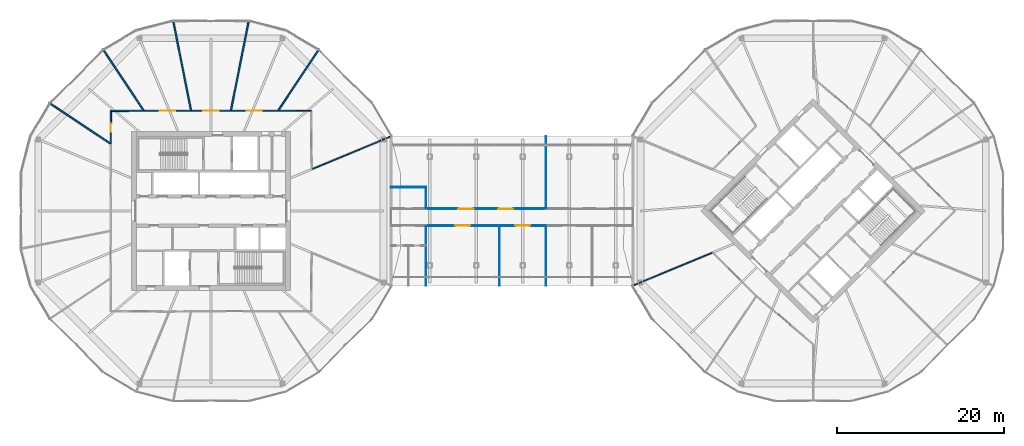
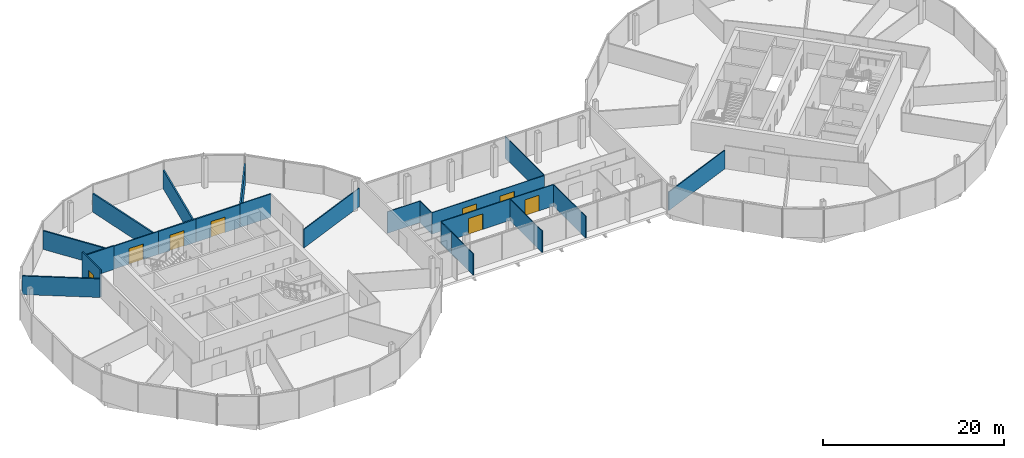
# One storey, part 21 of 25: 23 walls, 8 doors, 8 openings.
"""IFC4 building model written with IfcOpenShell, lengths in metres."""

from ifc_helpers import new_model, si_unit, direction, frame, frame_2d, origin, place, context, subcontext, project, spatial, rectangle, extrude, material, layer, layer_set, type_object, element, fill, save


model = new_model("IFC4")

# Units and contexts
model_context = context("Model", 3, precision=1e-05, world=origin(), true_north=direction((0.0, 1.0)))
body_context = subcontext(model_context, "Body", "Model", "MODEL_VIEW")
ifc_project = project(units=[si_unit("LENGTHUNIT", "METRE"), si_unit("AREAUNIT", "SQUARE_METRE"), si_unit("VOLUMEUNIT", "CUBIC_METRE"), si_unit("PLANEANGLEUNIT", "RADIAN"), si_unit("MASSUNIT", "GRAM", prefix="KILO")], contexts=[model_context])

# Site, building, storey
site_placement = place(None, origin())
site = spatial("IfcSite", under=ifc_project, at=site_placement, CompositionType="ELEMENT")
building_placement = place(site_placement, origin())
building = spatial("IfcBuilding", under=site, at=building_placement, Name="Ogive Gate Towers", CompositionType="ELEMENT")
storey_placement = place(building_placement, frame((0.0, 0.0, 144.800048828125)))
storey = spatial("IfcBuildingStorey", under=building, at=storey_placement, Name="L34", CompositionType="ELEMENT", Elevation=144.800048828125)

# Walls
ifc_material_1 = material(Name="Gypsum board acoustic partition")
ifc_layer_1 = layer(ifc_material_1, 0.175048828125)
ifc_layer_set_1 = layer_set([ifc_layer_1], Name="Acoustic partition 175")
wall_type_1 = type_object("IfcWallType", Name="Acoustic partition 175", PredefinedType="PARTITIONING", material=ifc_layer_set_1)
wall_1_placement = place(storey_placement, frame((-23.16015625, 19.2021484375, 0.0), z_axis=(0.0, 0.0, 1.0), x_axis=(-0.555860372111, -0.83127567432, 0.0)))
element("IfcWall", 1, at=wall_1_placement, inside=storey, type_object=wall_type_1, Name="Partition T1-L34-002", PredefinedType="PARTITIONING", context=body_context, shape_type="SweptSolid", body=[
    extrude(rectangle(XDim=8.59130859375, YDim=0.175048828125, at=frame_2d((4.295654296875, 0.0))), origin(), (0.0, 0.0, 1.0), 2.5),
])
for number, where, z_axis, x_axis, name in (
    (2, (-31.501220703125, 22.6572265625, 0.0), (0.0, 0.0, 1.0), (-0.194745464851, -0.980853813736, 0.0), "Partition T1-L34-003"),
    (3, (-40.498779296875, 22.6572265625, 0.0), (0.0, 0.0, 1.0), (0.194745464851, -0.980853813736, 0.0), "Partition T1-L34-004"),
):
    element("IfcWall", number, at=place(storey_placement, frame(where, z_axis=z_axis, x_axis=x_axis)), inside=storey, type_object=wall_type_1, Name=name, PredefinedType="PARTITIONING", context=body_context, shape_type="SweptSolid", body=[
        extrude(rectangle(XDim=10.791259765625, YDim=0.175048828125, at=frame_2d((5.3955078125, 0.0))), origin(), (0.0, 0.0, 1.0), 2.5),
    ])
for number, where, z_axis, x_axis, name in (
    (4, (-48.83984375, 19.2021484375, 0.0), (0.0, 0.0, 1.0), (0.555860372111, -0.83127567432, 0.0), "Partition T1-L34-005"),
    (5, (-55.2021484375, 12.83984375, 0.0), (0.0, 0.0, 1.0), (0.83127567432, -0.555860372111, 0.0), "Partition T1-L34-006"),
):
    element("IfcWall", number, at=place(storey_placement, frame(where, z_axis=z_axis, x_axis=x_axis)), inside=storey, type_object=wall_type_1, Name=name, PredefinedType="PARTITIONING", context=body_context, shape_type="SweptSolid", body=[
        extrude(rectangle(XDim=8.59130859375, YDim=0.175048828125, at=frame_2d((4.295654296875, 0.0))), origin(), (0.0, 0.0, 1.0), 2.5),
    ])

# Wall, opening, door
wall_2_placement = place(storey_placement, frame((-27.984375, 11.987548828125, 0.0), z_axis=(0.0, 0.0, 1.0), x_axis=(-0.999999984986, -0.000173287698, 0.0)))
wall_2 = element("IfcWall", 6, at=wall_2_placement, inside=storey, type_object=wall_type_1, Name="Partition T1-L34-015", PredefinedType="PARTITIONING", context=body_context, shape_type="SweptSolid", body=[
    extrude(rectangle(XDim=5.635498046875, YDim=0.175048828125, at=frame_2d((2.81787109375, 0.0))), origin(), (0.0, 0.0, 1.0), 3.099853515625),
])
opening_1_placement = place(wall_2_placement, frame((1.91796875, 0.0, 0.0)))
opening_1 = element("IfcOpeningElement", 7, at=opening_1_placement, cuts=wall_2, Name="Opening T1-L34-D02", PredefinedType="OPENING", context=body_context, shape_type="SweptSolid", body=[
    extrude(rectangle(XDim=1.800048828125, YDim=2.10009765625, at=frame_2d((0.89990234375, 1.050048828125))), frame((0.0, 0.09765625, 0.0), z_axis=(0.0, -1.0, 0.0), x_axis=(1.0, 0.0, 0.0)), (0.0, 0.0, 1.0), 0.195068359375),
])
ifc_material_2 = material(Name="Timber door", Category="wood")
door_type_1 = type_object("IfcDoorType", Name="Door pair 1800", OperationType="NOTDEFINED", PredefinedType="DOOR", material=ifc_material_2)
door_1_placement = place(opening_1_placement, origin())
door_1 = element("IfcDoor", 8, at=door_1_placement, inside=storey, type_object=door_type_1, Name="Door T1-L34-D02", OperationType="DOUBLE_DOOR_DOUBLE_SWING", OverallHeight=2.10009765625, OverallWidth=1.800048828125, PredefinedType="DOOR", context=body_context, shape_type="SweptSolid", body=[
    extrude(rectangle(XDim=1.800048828125, YDim=2.10009765625, at=frame_2d((0.89990234375, 1.050048828125))), frame((0.0, 0.02490234375, 0.0), z_axis=(0.0, -1.0, 0.0), x_axis=(1.0, 0.0, 0.0)), (0.0, 0.0, 1.0), 0.050048828125),
])
fill(opening_1, door_1)

wall_3_placement = place(storey_placement, frame((-33.619873046875, 11.986572265625, 0.0), z_axis=(0.0, 0.0, 1.0), x_axis=(-1.0, 0.0, 0.0)))
wall_3 = element("IfcWall", 9, at=wall_3_placement, inside=storey, type_object=wall_type_1, Name="Partition T1-L34-016", PredefinedType="PARTITIONING", context=body_context, shape_type="SweptSolid", body=[
    extrude(rectangle(XDim=4.76025390625, YDim=0.175048828125, at=frame_2d((2.380126953125, 0.0))), origin(), (0.0, 0.0, 1.0), 3.099853515625),
])
opening_2_placement = place(wall_3_placement, frame((1.47998046875, 0.0, 0.0)))
opening_2 = element("IfcOpeningElement", 10, at=opening_2_placement, cuts=wall_3, Name="Opening T1-L34-D03", PredefinedType="OPENING", context=body_context, shape_type="SweptSolid", body=[
    extrude(rectangle(XDim=1.800048828125, YDim=2.10009765625, at=frame_2d((0.89990234375, 1.050048828125))), frame((0.0, 0.09765625, 0.0), z_axis=(0.0, -1.0, 0.0), x_axis=(1.0, 0.0, 0.0)), (0.0, 0.0, 1.0), 0.195068359375),
])
door_2_placement = place(opening_2_placement, origin())
door_2 = element("IfcDoor", 11, at=door_2_placement, inside=storey, type_object=door_type_1, Name="Door T1-L34-D03", OperationType="DOUBLE_DOOR_DOUBLE_SWING", OverallHeight=2.10009765625, OverallWidth=1.800048828125, PredefinedType="DOOR", context=body_context, shape_type="SweptSolid", body=[
    extrude(rectangle(XDim=1.800048828125, YDim=2.10009765625, at=frame_2d((0.89990234375, 1.050048828125))), frame((0.0, 0.02490234375, 0.0), z_axis=(0.0, -1.0, 0.0), x_axis=(1.0, 0.0, 0.0)), (0.0, 0.0, 1.0), 0.050048828125),
])
fill(opening_2, door_2)

wall_4_placement = place(storey_placement, frame((-47.97998046875, 11.97998046875, 0.0), z_axis=(0.0, 0.0, 1.0), x_axis=(-0.001909098627, -0.99999817767, 0.0)))
wall_4 = element("IfcWall", 12, at=wall_4_placement, inside=storey, type_object=wall_type_1, Name="Partition T1-L34-018", PredefinedType="PARTITIONING", context=body_context, shape_type="SweptSolid", body=[
    extrude(rectangle(XDim=3.96435546875, YDim=0.175048828125, at=frame_2d((1.982177734375, 0.0))), origin(), (0.0, 0.0, 1.0), 3.699951171875),
])
opening_3_placement = place(wall_4_placement, frame((1.48193359375, 0.0, 0.0)))
opening_3 = element("IfcOpeningElement", 13, at=opening_3_placement, cuts=wall_4, Name="Opening T1-L34-D05", PredefinedType="OPENING", context=body_context, shape_type="SweptSolid", body=[
    extrude(rectangle(XDim=1.0, YDim=2.10009765625, at=frame_2d((0.5, 1.050048828125))), frame((0.0, 0.09765625, 0.0), z_axis=(0.0, -1.0, 0.0), x_axis=(1.0, 0.0, 0.0)), (0.0, 0.0, 1.0), 0.195068359375),
])
door_type_2 = type_object("IfcDoorType", Name="Door 1000", OperationType="NOTDEFINED", PredefinedType="DOOR", material=ifc_material_2)
door_3_placement = place(opening_3_placement, origin())
door_3 = element("IfcDoor", 14, at=door_3_placement, inside=storey, type_object=door_type_2, Name="Door T1-L34-D05", OperationType="SINGLE_SWING_RIGHT", OverallHeight=2.10009765625, OverallWidth=1.0, PredefinedType="DOOR", context=body_context, shape_type="SweptSolid", body=[
    extrude(rectangle(XDim=1.0, YDim=2.10009765625, at=frame_2d((0.5, 1.050048828125))), frame((0.0, 0.02490234375, 0.0), z_axis=(0.0, -1.0, 0.0), x_axis=(1.0, 0.0, 0.0)), (0.0, 0.0, 1.0), 0.050048828125),
])
fill(opening_3, door_3)

# Walls
wall_5_placement = place(storey_placement, frame((-44.015625, 11.987548828125, 0.0), z_axis=(0.0, 0.0, 1.0), x_axis=(-0.99999817767, -0.001909098627, 0.0)))
element("IfcWall", 15, at=wall_5_placement, inside=storey, type_object=wall_type_1, Name="Partition T1-L34-019", PredefinedType="PARTITIONING", context=body_context, shape_type="SweptSolid", body=[
    extrude(rectangle(XDim=3.96435546875, YDim=0.175048828125, at=frame_2d((1.982177734375, 0.0))), origin(), (0.0, 0.0, 1.0), 3.14990234375),
])
ifc_material_3 = material(Name="Gypsum board partition")
ifc_layer_2 = layer(ifc_material_3, 0.125)
ifc_layer_set_2 = layer_set([ifc_layer_2], Name="Partition 125")
wall_type_2 = type_object("IfcWallType", Name="Partition 125", PredefinedType="PARTITIONING", material=ifc_layer_set_2)
wall_6_placement = place(storey_placement, frame((-14.573486328125, 8.875, 0.0), z_axis=(0.0, 0.0, 1.0), x_axis=(-0.923883778051, -0.382673182564, 0.0)))
element("IfcWall", 16, at=wall_6_placement, inside=storey, type_object=wall_type_2, Name="Partition T1-L34-001", PredefinedType="PARTITIONING", context=body_context, shape_type="SweptSolid", body=[
    extrude(rectangle(XDim=10.108154296875, YDim=0.125, at=frame_2d((5.05419921875, 0.0))), origin(), (0.0, 0.0, 1.0), 2.5),
])
wall_7_placement = place(storey_placement, frame((-24.02001953125, 11.97998046875, 0.0), z_axis=(0.0, 0.0, 1.0), x_axis=(-0.99999817767, 0.001909098627, 0.0)))
element("IfcWall", 17, at=wall_7_placement, inside=storey, type_object=wall_type_2, Name="Partition T1-L34-014", PredefinedType="PARTITIONING", context=body_context, shape_type="SweptSolid", body=[
    extrude(rectangle(XDim=3.96435546875, YDim=0.125, at=frame_2d((1.982177734375, 0.0))), origin(), (0.0, 0.0, 1.0), 3.14990234375),
])

# Wall, opening, door
wall_8_placement = place(storey_placement, frame((-38.380126953125, 11.986572265625, 0.0), z_axis=(0.0, 0.0, 1.0), x_axis=(-0.999999984986, 0.000173287698, 0.0)))
wall_8 = element("IfcWall", 18, at=wall_8_placement, inside=storey, type_object=wall_type_2, Name="Partition T1-L34-017", PredefinedType="PARTITIONING", context=body_context, shape_type="SweptSolid", body=[
    extrude(rectangle(XDim=5.635498046875, YDim=0.125, at=frame_2d((2.81787109375, 0.0))), origin(), (0.0, 0.0, 1.0), 3.099853515625),
])
opening_4_placement = place(wall_8_placement, frame((1.91796875, 0.0, 0.0)))
opening_4 = element("IfcOpeningElement", 19, at=opening_4_placement, cuts=wall_8, Name="Opening T1-L34-D04", PredefinedType="OPENING", context=body_context, shape_type="SweptSolid", body=[
    extrude(rectangle(XDim=1.800048828125, YDim=2.10009765625, at=frame_2d((0.89990234375, 1.050048828125))), frame((0.0, 0.072509765625, 0.0), z_axis=(0.0, -1.0, 0.0), x_axis=(1.0, 0.0, 0.0)), (0.0, 0.0, 1.0), 0.14501953125),
])
door_4_placement = place(opening_4_placement, origin())
door_4 = element("IfcDoor", 20, at=door_4_placement, inside=storey, type_object=door_type_1, Name="Door T1-L34-D04", OperationType="DOUBLE_DOOR_DOUBLE_SWING", OverallHeight=2.10009765625, OverallWidth=1.800048828125, PredefinedType="DOOR", context=body_context, shape_type="SweptSolid", body=[
    extrude(rectangle(XDim=1.800048828125, YDim=2.10009765625, at=frame_2d((0.89990234375, 1.050048828125))), frame((0.0, 0.02490234375, 0.0), z_axis=(0.0, -1.0, 0.0), x_axis=(1.0, 0.0, 0.0)), (0.0, 0.0, 1.0), 0.050048828125),
])
fill(opening_4, door_4)

# Wall
wall_9_placement = place(storey_placement, frame((14.573486328125, -8.875, 0.0), z_axis=(0.0, 0.0, 1.0), x_axis=(0.923886190408, 0.382667358385, 0.0)))
element("IfcWall", 21, at=wall_9_placement, inside=storey, type_object=wall_type_2, Name="Partition T2-L34-007", PredefinedType="PARTITIONING", context=body_context, shape_type="SweptSolid", body=[
    extrude(rectangle(XDim=10.158203125, YDim=0.125, at=frame_2d((5.0791015625, 0.0))), origin(), (0.0, 0.0, 1.0), 2.5),
])

# Wall, openings, doors
ifc_layer_3 = layer(ifc_material_3, 0.10009765625)
ifc_layer_set_3 = layer_set([ifc_layer_3], Name="Partition wall 100")
wall_type_3 = type_object("IfcWallType", Name="Partition wall 100", PredefinedType="PARTITIONING", material=ifc_layer_set_3)
wall_10_placement = place(storey_placement, frame((-10.280517578125, 0.25, 0.0), z_axis=(0.0, 0.0, 1.0), x_axis=(1.0, 0.0, 0.0)))
wall_10 = element("IfcWall", 22, at=wall_10_placement, inside=storey, type_object=wall_type_3, Name="L34 partition 003", PredefinedType="PARTITIONING", context=body_context, shape_type="SweptSolid", body=[
    extrude(rectangle(XDim=14.34130859375, YDim=0.10009765625, at=frame_2d((7.170654296875, 0.0))), origin(), (0.0, 0.0, 1.0), 2.89990234375),
])
opening_5_placement = place(wall_10_placement, frame((3.88232421875, 0.0, 0.0)))
opening_5 = element("IfcOpeningElement", 23, at=opening_5_placement, cuts=wall_10, Name="Opening PO244", PredefinedType="OPENING", context=body_context, shape_type="SweptSolid", body=[
    extrude(rectangle(XDim=1.800048828125, YDim=2.10009765625, at=frame_2d((0.89990234375, 1.050048828125))), frame((0.0, 0.06005859375, 0.0), z_axis=(0.0, -1.0, 0.0), x_axis=(1.0, 0.0, 0.0)), (0.0, 0.0, 1.0), 0.1201171875),
])
opening_6_placement = place(wall_10_placement, frame((8.65869140625, 0.0, 0.0)))
opening_6 = element("IfcOpeningElement", 24, at=opening_6_placement, cuts=wall_10, Name="Opening PO245", PredefinedType="OPENING", context=body_context, shape_type="SweptSolid", body=[
    extrude(rectangle(XDim=1.800048828125, YDim=2.10009765625, at=frame_2d((0.89990234375, 1.050048828125))), frame((0.0, 0.06005859375, 0.0), z_axis=(0.0, -1.0, 0.0), x_axis=(1.0, 0.0, 0.0)), (0.0, 0.0, 1.0), 0.1201171875),
])
door_type_3 = type_object("IfcDoorType", Name="Double door 1800 x 2100", OperationType="NOTDEFINED", PredefinedType="DOOR", material=ifc_material_2)
door_5_placement = place(opening_5_placement, origin())
door_5 = element("IfcDoor", 25, at=door_5_placement, inside=storey, type_object=door_type_3, Name="Door PO244", OperationType="DOUBLE_DOOR_DOUBLE_SWING", OverallHeight=2.10009765625, OverallWidth=1.800048828125, PredefinedType="DOOR", context=body_context, shape_type="SweptSolid", body=[
    extrude(rectangle(XDim=1.800048828125, YDim=2.10009765625, at=frame_2d((0.89990234375, 1.050048828125))), frame((0.0, 0.02490234375, 0.0), z_axis=(0.0, -1.0, 0.0), x_axis=(1.0, 0.0, 0.0)), (0.0, 0.0, 1.0), 0.050048828125),
])
fill(opening_5, door_5)
door_6_placement = place(opening_6_placement, origin())
door_6 = element("IfcDoor", 26, at=door_6_placement, inside=storey, type_object=door_type_3, Name="Door PO245", OperationType="DOUBLE_DOOR_DOUBLE_SWING", OverallHeight=2.10009765625, OverallWidth=1.800048828125, PredefinedType="DOOR", context=body_context, shape_type="SweptSolid", body=[
    extrude(rectangle(XDim=1.800048828125, YDim=2.10009765625, at=frame_2d((0.89990234375, 1.050048828125))), frame((0.0, 0.02490234375, 0.0), z_axis=(0.0, -1.0, 0.0), x_axis=(1.0, 0.0, 0.0)), (0.0, 0.0, 1.0), 0.050048828125),
])
fill(opening_6, door_6)

# Wall, opening, door
wall_11_placement = place(storey_placement, frame((-10.280517578125, -1.75, 0.0), z_axis=(0.0, 0.0, 1.0), x_axis=(1.0, 0.0, 0.0)))
wall_11 = element("IfcWall", 27, at=wall_11_placement, inside=storey, type_object=wall_type_3, Name="L34 partition 005", PredefinedType="PARTITIONING", context=body_context, shape_type="SweptSolid", body=[
    extrude(rectangle(XDim=8.78466796875, YDim=0.10009765625, at=frame_2d((4.392333984375, 0.0))), origin(), (0.0, 0.0, 1.0), 2.89990234375),
])
opening_7_placement = place(wall_11_placement, frame((3.492431640625, 0.0, 0.0)))
opening_7 = element("IfcOpeningElement", 28, at=opening_7_placement, cuts=wall_11, Name="Opening PO248", PredefinedType="OPENING", context=body_context, shape_type="SweptSolid", body=[
    extrude(rectangle(XDim=1.800048828125, YDim=2.10009765625, at=frame_2d((0.89990234375, 1.050048828125))), frame((0.0, 0.06005859375, 0.0), z_axis=(0.0, -1.0, 0.0), x_axis=(1.0, 0.0, 0.0)), (0.0, 0.0, 1.0), 0.1201171875),
])
door_7_placement = place(opening_7_placement, origin())
door_7 = element("IfcDoor", 29, at=door_7_placement, inside=storey, type_object=door_type_3, Name="Door PO248", OperationType="DOUBLE_DOOR_DOUBLE_SWING", OverallHeight=2.10009765625, OverallWidth=1.800048828125, PredefinedType="DOOR", context=body_context, shape_type="SweptSolid", body=[
    extrude(rectangle(XDim=1.800048828125, YDim=2.10009765625, at=frame_2d((0.89990234375, 1.050048828125))), frame((0.0, 0.02490234375, 0.0), z_axis=(0.0, -1.0, 0.0), x_axis=(1.0, 0.0, 0.0)), (0.0, 0.0, 1.0), 0.050048828125),
])
fill(opening_7, door_7)

wall_12_placement = place(storey_placement, frame((-1.495849609375, -1.75, 0.0), z_axis=(0.0, 0.0, 1.0), x_axis=(1.0, 0.0, 0.0)))
wall_12 = element("IfcWall", 30, at=wall_12_placement, inside=storey, type_object=wall_type_3, Name="L34 partition 006", PredefinedType="PARTITIONING", context=body_context, shape_type="SweptSolid", body=[
    extrude(rectangle(XDim=5.556640625, YDim=0.10009765625, at=frame_2d((2.7783203125, 0.0))), origin(), (0.0, 0.0, 1.0), 2.89990234375),
])
opening_8_placement = place(wall_12_placement, frame((1.878173828125, 0.0, 0.0)))
opening_8 = element("IfcOpeningElement", 31, at=opening_8_placement, cuts=wall_12, Name="Opening PO249", PredefinedType="OPENING", context=body_context, shape_type="SweptSolid", body=[
    extrude(rectangle(XDim=1.800048828125, YDim=2.10009765625, at=frame_2d((0.89990234375, 1.050048828125))), frame((0.0, 0.06005859375, 0.0), z_axis=(0.0, -1.0, 0.0), x_axis=(1.0, 0.0, 0.0)), (0.0, 0.0, 1.0), 0.1201171875),
])
door_8_placement = place(opening_8_placement, origin())
door_8 = element("IfcDoor", 32, at=door_8_placement, inside=storey, type_object=door_type_3, Name="Door PO249", OperationType="DOUBLE_DOOR_DOUBLE_SWING", OverallHeight=2.10009765625, OverallWidth=1.800048828125, PredefinedType="DOOR", context=body_context, shape_type="SweptSolid", body=[
    extrude(rectangle(XDim=1.800048828125, YDim=2.10009765625, at=frame_2d((0.89990234375, 1.050048828125))), frame((0.0, 0.02490234375, 0.0), z_axis=(0.0, -1.0, 0.0), x_axis=(1.0, 0.0, 0.0)), (0.0, 0.0, 1.0), 0.050048828125),
])
fill(opening_8, door_8)

# Walls
wall_13_placement = place(storey_placement, frame((-10.280517578125, -4.14990234375, 0.0), z_axis=(0.0, 0.0, 1.0), x_axis=(0.0, 1.0, 0.0)))
element("IfcWall", 33, at=wall_13_placement, inside=storey, type_object=wall_type_3, Name="L34 partition 011", PredefinedType="PARTITIONING", context=body_context, shape_type="SweptSolid", body=[
    extrude(rectangle(XDim=2.349853515625, YDim=0.10009765625, at=frame_2d((1.1748046875, 0.0))), origin(), (0.0, 0.0, 1.0), 2.89990234375),
])
wall_14_placement = place(storey_placement, frame((-10.280517578125, -8.91650390625, 0.0), z_axis=(0.0, 0.0, 1.0), x_axis=(0.0, 1.0, 0.0)))
element("IfcWall", 34, at=wall_14_placement, inside=storey, type_object=wall_type_3, Name="L34 partition 013", PredefinedType="PARTITIONING", context=body_context, shape_type="SweptSolid", body=[
    extrude(rectangle(XDim=4.7666015625, YDim=0.10009765625, at=frame_2d((2.38330078125, 0.0))), origin(), (0.0, 0.0, 1.0), 2.89990234375),
])
wall_15_placement = place(storey_placement, frame((-14.4736328125, 2.85009765625, 0.0), z_axis=(0.0, 0.0, 1.0), x_axis=(1.0, 0.0, 0.0)))
element("IfcWall", 35, at=wall_15_placement, inside=storey, type_object=wall_type_3, Name="L34 partition 014", PredefinedType="PARTITIONING", context=body_context, shape_type="SweptSolid", body=[
    extrude(rectangle(XDim=4.2431640625, YDim=0.10009765625, at=frame_2d((2.12158203125, 0.0))), origin(), (0.0, 0.0, 1.0), 2.89990234375),
])
wall_16_placement = place(storey_placement, frame((-10.280517578125, 0.300048828125, 0.0), z_axis=(0.0, 0.0, 1.0), x_axis=(0.0, 1.0, 0.0)))
element("IfcWall", 36, at=wall_16_placement, inside=storey, type_object=wall_type_3, Name="L34 partition 015", PredefinedType="PARTITIONING", context=body_context, shape_type="SweptSolid", body=[
    extrude(rectangle(XDim=2.5, YDim=0.10009765625, at=frame_2d((1.25, 0.0))), origin(), (0.0, 0.0, 1.0), 2.89990234375),
])
wall_17_placement = place(storey_placement, frame((4.060791015625, 0.300048828125, 0.0), z_axis=(0.0, 0.0, 1.0), x_axis=(0.0, 1.0, 0.0)))
element("IfcWall", 37, at=wall_17_placement, inside=storey, type_object=wall_type_3, Name="L34 partition 016", PredefinedType="PARTITIONING", context=body_context, shape_type="SweptSolid", body=[
    extrude(rectangle(XDim=8.616455078125, YDim=0.10009765625, at=frame_2d((4.30810546875, 0.0))), origin(), (0.0, 0.0, 1.0), 2.89990234375),
])
for number, where, z_axis, x_axis, name in (
    (38, (-1.495849609375, -8.91650390625, 0.0), (0.0, 0.0, 1.0), (0.0, 1.0, 0.0), "L34 partition 017"),
    (39, (4.060791015625, -8.91650390625, 0.0), (0.0, 0.0, 1.0), (0.0, 1.0, 0.0), "L34 partition 018"),
):
    element("IfcWall", number, at=place(storey_placement, frame(where, z_axis=z_axis, x_axis=x_axis)), inside=storey, type_object=wall_type_3, Name=name, PredefinedType="PARTITIONING", context=body_context, shape_type="SweptSolid", body=[
        extrude(rectangle(XDim=7.116455078125, YDim=0.10009765625, at=frame_2d((3.55810546875, 0.0))), origin(), (0.0, 0.0, 1.0), 2.89990234375),
    ])

save(model, "model.ifc")
